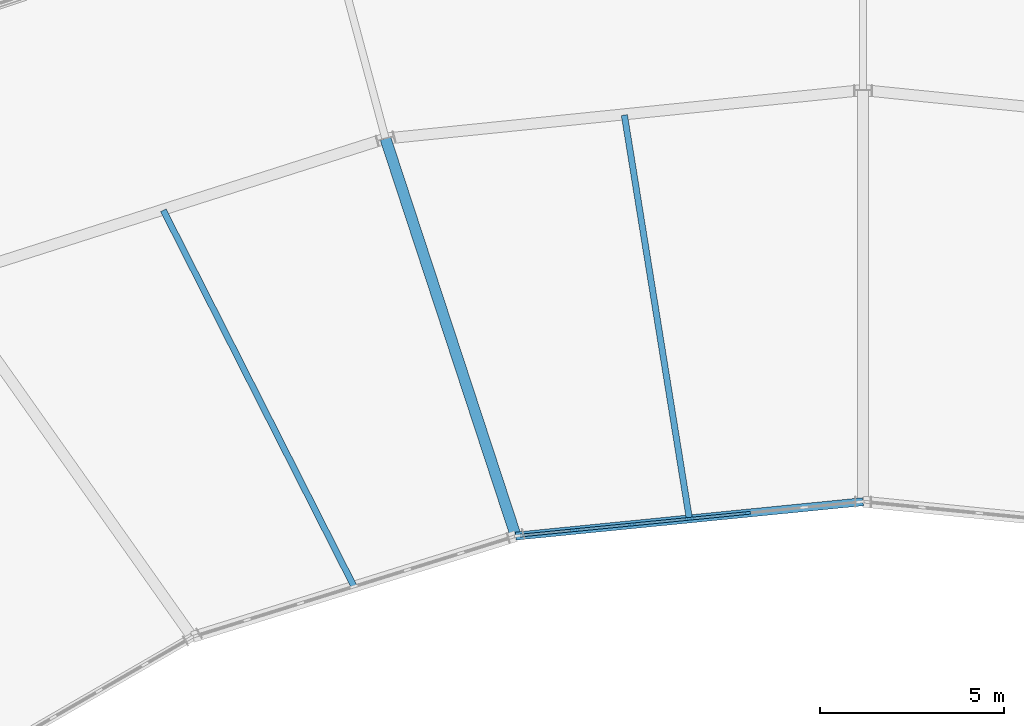
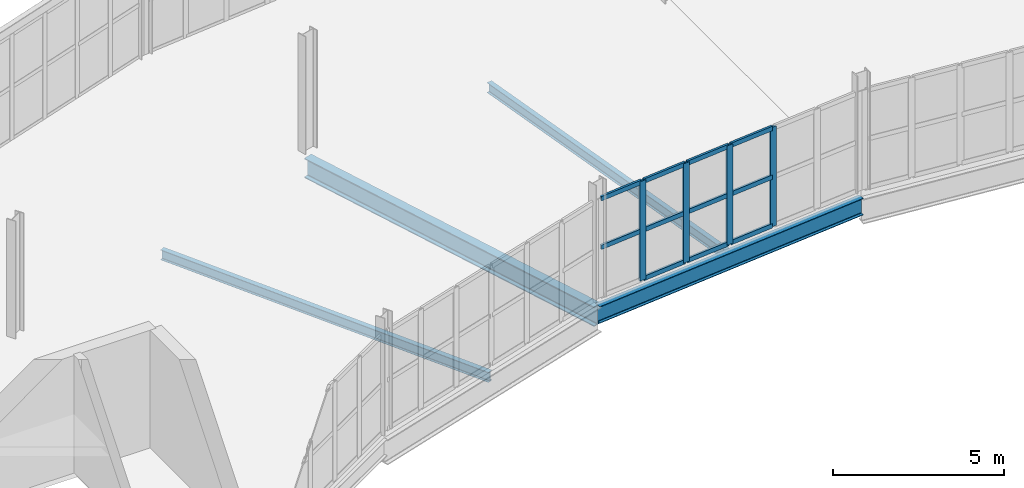
# One storey, part 67 of 161: 15 members, 4 beams, 1 element without a shape of its own.
"""IFC4 building model written with IfcOpenShell, lengths in metres."""

from ifc_helpers import new_model, si_unit, direction, frame, origin, origin_2d, place, context, subcontext, project, spatial, rectangle, i_section, extrude, material, material_profile, profile_set, type_object, element, aggregate, save


model = new_model("IFC4")

# Units and contexts
model_context = context("Model", 3, precision=1e-05, world=origin(), true_north=direction((0.0, 1.0)))
body_context = subcontext(model_context, "Body", "Model", "MODEL_VIEW")
ifc_project = project(units=[si_unit("LENGTHUNIT", "METRE"), si_unit("AREAUNIT", "SQUARE_METRE"), si_unit("VOLUMEUNIT", "CUBIC_METRE"), si_unit("PLANEANGLEUNIT", "RADIAN"), si_unit("MASSUNIT", "GRAM", prefix="KILO")], contexts=[model_context])

# Site, building, storey
site_placement = place(None, origin())
site = spatial("IfcSite", under=ifc_project, at=site_placement, CompositionType="ELEMENT")
building_placement = place(site_placement, origin())
building = spatial("IfcBuilding", under=site, at=building_placement, Name="Kildeholm Park Wholesale Market", CompositionType="ELEMENT")
storey_placement = place(building_placement, frame((0.0, 0.0, 5.39990234375)))
storey = spatial("IfcBuildingStorey", under=building, at=storey_placement, Name="L01", CompositionType="ELEMENT", Elevation=5.39990234375)

# Beams
ifc_material_1 = material(Name="Steel S355", Category="steel")
ifc_material_profile_1 = material_profile(ifc_material_1, i_section(OverallWidth=0.300048828125, OverallDepth=0.699951171875, WebThickness=0.01708984375, FlangeThickness=0.031982421875, FilletRadius=0.027099609375, at=origin_2d()), Name="HEB 700")
ifc_profile_set_1 = profile_set([ifc_material_profile_1], Name="Steel S355")
beam_type_1 = type_object("IfcBeamType", Name="Beam B-G01 HEB 700", PredefinedType="BEAM", material=ifc_profile_set_1)
beam_1_placement = place(storey_placement, frame((89.552978515625, 116.06298828125, -0.599853515625), z_axis=(-0.31146940438, 0.950256181319, 0.0), x_axis=(-0.950256181319, -0.31146940438, 0.0)))
element("IfcBeam", 1, at=beam_1_placement, inside=storey, type_object=beam_type_1, Name="Beam BM-V1-L01-R1-07 BM-0066", PredefinedType="BEAM", context=body_context, shape_type="SweptSolid", body=[
    extrude(i_section(OverallWidth=0.300048828125, OverallDepth=0.699951171875, WebThickness=0.01708984375, FlangeThickness=0.031982421875, FilletRadius=0.027099609375, at=origin_2d()), origin(), (0.0, 0.0, 1.0), 11.384521484375),
])
ifc_material_profile_2 = material_profile(ifc_material_1, i_section(OverallWidth=0.219970703125, OverallDepth=0.60009765625, WebThickness=0.011962890625, FlangeThickness=0.01904296875, FilletRadius=0.02392578125, at=origin_2d()), Name="IPE 600")
ifc_profile_set_2 = profile_set([ifc_material_profile_2], Name="Steel S355")
beam_type_2 = type_object("IfcBeamType", Name="Beam B-P04 IPE 600", PredefinedType="BEAM", material=ifc_profile_set_2)
beam_2_placement = place(storey_placement, frame((99.0, 117.0, -0.5498046875), z_axis=(-0.995117073258, -0.098701623651, 0.0), x_axis=(0.098701623651, -0.995117073258, 0.0)))
element("IfcBeam", 2, at=beam_2_placement, inside=storey, type_object=beam_type_2, Name="Beam BM-V1-L01-CI-06 BM-0059", PredefinedType="BEAM", context=body_context, shape_type="SweptSolid", body=[
    extrude(i_section(OverallWidth=0.219970703125, OverallDepth=0.60009765625, WebThickness=0.011962890625, FlangeThickness=0.01904296875, FilletRadius=0.02392578125, at=origin_2d()), origin(), (0.0, 0.0, 1.0), 9.493408203125),
])
ifc_material_profile_3 = material_profile(ifc_material_1, i_section(OverallWidth=0.169921875, OverallDepth=0.360107421875, WebThickness=0.008056640625, FlangeThickness=0.0126953125, FilletRadius=0.01806640625, at=origin_2d()), Name="IPE 360")
ifc_profile_set_3 = profile_set([ifc_material_profile_3], Name="Steel S355")
beam_type_3 = type_object("IfcBeamType", Name="Beam J-04 IPE 360", PredefinedType="JOIST", material=ifc_profile_set_3)
beam_3_placement = place(storey_placement, frame((94.273193359375, 116.55126953125, -0.429931640625), z_axis=(-0.158998239013, 0.987278866375, 0.0), x_axis=(-0.987278866375, -0.158998239013, 0.0)))
element("IfcBeam", 3, at=beam_3_placement, inside=storey, type_object=beam_type_3, Name="Beam JT-V1-L01-06 BM-0064", PredefinedType="JOIST", context=body_context, shape_type="SweptSolid", body=[
    extrude(i_section(OverallWidth=0.169921875, OverallDepth=0.360107421875, WebThickness=0.008056640625, FlangeThickness=0.0126953125, FilletRadius=0.01806640625, at=origin_2d()), origin(), (0.0, 0.0, 1.0), 11.11083984375),
])
beam_4_placement = place(storey_placement, frame((85.142578125, 114.707275390625, -0.429931640625), z_axis=(-0.452004571782, 0.892015620428, 0.0), x_axis=(-0.892015620428, -0.452004571782, 0.0)))
element("IfcBeam", 4, at=beam_4_placement, inside=storey, type_object=beam_type_3, Name="Beam JT-V1-L01-07 BM-0074", PredefinedType="JOIST", context=body_context, shape_type="SweptSolid", body=[
    extrude(i_section(OverallWidth=0.169921875, OverallDepth=0.360107421875, WebThickness=0.008056640625, FlangeThickness=0.0126953125, FilletRadius=0.01806640625, at=origin_2d()), origin(), (0.0, 0.0, 1.0), 11.46044921875),
])

# Curtain wall, members
ifc_material_2 = material(Name="Anodised aluminium and low-E double-glazed glass", Category="aluminium")
curtain_wall_type = type_object("IfcCurtainWallType", Name="Market hall glazed arcade stick curtain wall CW-01", PredefinedType="NOTDEFINED", material=ifc_material_2)
curtain_wall_placement = place(storey_placement, origin())
curtain_wall = element("IfcCurtainWall", 5, at=curtain_wall_placement, inside=storey, type_object=curtain_wall_type, Name="Curtain wall CW-V1-IN1-06 CW-0033", PredefinedType="NOTDEFINED")
ifc_material_3 = material(Name="Anodised aluminium", Category="aluminium")
ifc_material_profile_4 = material_profile(ifc_material_3, rectangle(XDim=0.074951171875, YDim=0.219970703125, at=origin_2d()), Name="CWM 75x220")
ifc_profile_set_4 = profile_set([ifc_material_profile_4], Name="Anodised aluminium")
member_type_1 = type_object("IfcMemberType", Name="Curtain-wall mullion CWM-2 CWM 75x220", PredefinedType="MULLION", material=ifc_profile_set_4)
member_1_placement = place(storey_placement, frame((95.83740234375, 116.6904296875, 0.0), z_axis=(0.0, 0.0, 1.0), x_axis=(0.098683331174, -0.995118887444, 0.0)))
member_1 = element("IfcMember", 6, at=member_1_placement, type_object=member_type_1, Name="CW-01 mullion 3 MEM-1300", PredefinedType="MULLION", context=body_context, shape_type="SweptSolid", body=[
    extrude(rectangle(XDim=0.074951171875, YDim=0.219970703125, at=origin_2d()), origin(), (0.0, 0.0, 1.0), 3.550048828125),
])
member_2_placement = place(storey_placement, frame((94.27587890625, 116.535400390625, 0.0), z_axis=(0.0, 0.0, 1.0), x_axis=(0.098683331174, -0.995118887444, 0.0)))
member_2 = element("IfcMember", 7, at=member_2_placement, type_object=member_type_1, Name="CW-01 mullion 4 MEM-1301", PredefinedType="MULLION", context=body_context, shape_type="SweptSolid", body=[
    extrude(rectangle(XDim=0.074951171875, YDim=0.219970703125, at=origin_2d()), origin(), (0.0, 0.0, 1.0), 3.550048828125),
])
member_3_placement = place(storey_placement, frame((92.714599609375, 116.380615234375, 0.0), z_axis=(0.0, 0.0, 1.0), x_axis=(0.098683331174, -0.995118887444, 0.0)))
member_3 = element("IfcMember", 8, at=member_3_placement, type_object=member_type_1, Name="CW-01 mullion 5 MEM-1302", PredefinedType="MULLION", context=body_context, shape_type="SweptSolid", body=[
    extrude(rectangle(XDim=0.074951171875, YDim=0.219970703125, at=origin_2d()), origin(), (0.0, 0.0, 1.0), 3.550048828125),
])
member_4_placement = place(storey_placement, frame((91.1533203125, 116.225830078125, 0.0), z_axis=(0.0, 0.0, 1.0), x_axis=(0.098683331174, -0.995118887444, 0.0)))
member_4 = element("IfcMember", 9, at=member_4_placement, type_object=member_type_1, Name="CW-01 mullion 6 MEM-1303", PredefinedType="MULLION", context=body_context, shape_type="SweptSolid", body=[
    extrude(rectangle(XDim=0.074951171875, YDim=0.219970703125, at=origin_2d()), origin(), (0.0, 0.0, 1.0), 3.550048828125),
])
ifc_material_profile_5 = material_profile(ifc_material_3, rectangle(XDim=0.074951171875, YDim=0.159912109375, at=origin_2d()), Name="CWT 75x160")
ifc_profile_set_5 = profile_set([ifc_material_profile_5], Name="Anodised aluminium")
member_type_2 = type_object("IfcMemberType", Name="Curtain-wall transom CWT-2 CWT 75x160", PredefinedType="USERDEFINED", material=ifc_profile_set_5)
member_5_placement = place(storey_placement, frame((95.800048828125, 116.6865234375, 0.03759765625), z_axis=(-0.995133788729, -0.098532951495, 0.0), x_axis=(0.098532951495, -0.995133788729, 0.0)))
member_5 = element("IfcMember", 10, at=member_5_placement, type_object=member_type_2, Name="CW-01 transom 3.1 MEM-1311", ObjectType="TRANSOM", PredefinedType="USERDEFINED", context=body_context, shape_type="SweptSolid", body=[
    extrude(rectangle(XDim=0.074951171875, YDim=0.159912109375, at=origin_2d()), origin(), (0.0, 0.0, 1.0), 1.494140625),
])
member_6_placement = place(storey_placement, frame((95.800048828125, 116.6865234375, 1.775146484375), z_axis=(-0.995133788729, -0.098532951495, 0.0), x_axis=(0.098532951495, -0.995133788729, 0.0)))
member_6 = element("IfcMember", 11, at=member_6_placement, type_object=member_type_2, Name="CW-01 transom 3.2 MEM-1312", ObjectType="TRANSOM", PredefinedType="USERDEFINED", context=body_context, shape_type="SweptSolid", body=[
    extrude(rectangle(XDim=0.074951171875, YDim=0.159912109375, at=origin_2d()), origin(), (0.0, 0.0, 1.0), 1.494140625),
])
member_7_placement = place(storey_placement, frame((95.800048828125, 116.6865234375, 3.5126953125), z_axis=(-0.995133788729, -0.098532951495, 0.0), x_axis=(0.098532951495, -0.995133788729, 0.0)))
member_7 = element("IfcMember", 12, at=member_7_placement, type_object=member_type_2, Name="CW-01 transom 3.3 MEM-1313", ObjectType="TRANSOM", PredefinedType="USERDEFINED", context=body_context, shape_type="SweptSolid", body=[
    extrude(rectangle(XDim=0.074951171875, YDim=0.159912109375, at=origin_2d()), origin(), (0.0, 0.0, 1.0), 1.494140625),
])
member_8_placement = place(storey_placement, frame((94.23876953125, 116.53173828125, 0.03759765625), z_axis=(-0.995117753447, -0.098694765695, 0.0), x_axis=(0.098694765695, -0.995117753447, 0.0)))
member_8 = element("IfcMember", 13, at=member_8_placement, type_object=member_type_2, Name="CW-01 transom 4.1 MEM-1314", ObjectType="TRANSOM", PredefinedType="USERDEFINED", context=body_context, shape_type="SweptSolid", body=[
    extrude(rectangle(XDim=0.074951171875, YDim=0.159912109375, at=origin_2d()), origin(), (0.0, 0.0, 1.0), 1.494140625),
])
member_9_placement = place(storey_placement, frame((94.23876953125, 116.53173828125, 1.775146484375), z_axis=(-0.995117753447, -0.098694765695, 0.0), x_axis=(0.098694765695, -0.995117753447, 0.0)))
member_9 = element("IfcMember", 14, at=member_9_placement, type_object=member_type_2, Name="CW-01 transom 4.2 MEM-1315", ObjectType="TRANSOM", PredefinedType="USERDEFINED", context=body_context, shape_type="SweptSolid", body=[
    extrude(rectangle(XDim=0.074951171875, YDim=0.159912109375, at=origin_2d()), origin(), (0.0, 0.0, 1.0), 1.494140625),
])
member_10_placement = place(storey_placement, frame((94.23876953125, 116.53173828125, 3.5126953125), z_axis=(-0.995117753447, -0.098694765695, 0.0), x_axis=(0.098694765695, -0.995117753447, 0.0)))
member_10 = element("IfcMember", 15, at=member_10_placement, type_object=member_type_2, Name="CW-01 transom 4.3 MEM-1316", ObjectType="TRANSOM", PredefinedType="USERDEFINED", context=body_context, shape_type="SweptSolid", body=[
    extrude(rectangle(XDim=0.074951171875, YDim=0.159912109375, at=origin_2d()), origin(), (0.0, 0.0, 1.0), 1.494140625),
])
member_11_placement = place(storey_placement, frame((92.67724609375, 116.376953125, 0.03759765625), z_axis=(-0.995116161416, -0.098710816472, 0.0), x_axis=(0.098710816472, -0.995116161416, 0.0)))
member_11 = element("IfcMember", 16, at=member_11_placement, type_object=member_type_2, Name="CW-01 transom 5.1 MEM-1317", ObjectType="TRANSOM", PredefinedType="USERDEFINED", context=body_context, shape_type="SweptSolid", body=[
    extrude(rectangle(XDim=0.074951171875, YDim=0.159912109375, at=origin_2d()), origin(), (0.0, 0.0, 1.0), 1.493896484375),
])
member_12_placement = place(storey_placement, frame((92.67724609375, 116.376953125, 1.775146484375), z_axis=(-0.995116161416, -0.098710816472, 0.0), x_axis=(0.098710816472, -0.995116161416, 0.0)))
member_12 = element("IfcMember", 17, at=member_12_placement, type_object=member_type_2, Name="CW-01 transom 5.2 MEM-1318", ObjectType="TRANSOM", PredefinedType="USERDEFINED", context=body_context, shape_type="SweptSolid", body=[
    extrude(rectangle(XDim=0.074951171875, YDim=0.159912109375, at=origin_2d()), origin(), (0.0, 0.0, 1.0), 1.493896484375),
])
member_13_placement = place(storey_placement, frame((92.67724609375, 116.376953125, 3.5126953125), z_axis=(-0.995116161416, -0.098710816472, 0.0), x_axis=(0.098710816472, -0.995116161416, 0.0)))
member_13 = element("IfcMember", 18, at=member_13_placement, type_object=member_type_2, Name="CW-01 transom 5.3 MEM-1319", ObjectType="TRANSOM", PredefinedType="USERDEFINED", context=body_context, shape_type="SweptSolid", body=[
    extrude(rectangle(XDim=0.074951171875, YDim=0.159912109375, at=origin_2d()), origin(), (0.0, 0.0, 1.0), 1.493896484375),
])
member_14_placement = place(storey_placement, frame((91.115966796875, 116.22216796875, 1.775146484375), z_axis=(-0.995113248343, -0.098740179123, 0.0), x_axis=(0.098740179123, -0.995113248343, 0.0)))
member_14 = element("IfcMember", 19, at=member_14_placement, type_object=member_type_2, Name="CW-01 transom 6.2 MEM-1321", ObjectType="TRANSOM", PredefinedType="USERDEFINED", context=body_context, shape_type="SweptSolid", body=[
    extrude(rectangle(XDim=0.074951171875, YDim=0.159912109375, at=origin_2d()), origin(), (0.0, 0.0, 1.0), 1.456298828125),
])
member_15_placement = place(storey_placement, frame((91.115966796875, 116.22216796875, 3.5126953125), z_axis=(-0.995113248343, -0.098740179123, 0.0), x_axis=(0.098740179123, -0.995113248343, 0.0)))
member_15 = element("IfcMember", 20, at=member_15_placement, type_object=member_type_2, Name="CW-01 transom 6.3 MEM-1322", ObjectType="TRANSOM", PredefinedType="USERDEFINED", context=body_context, shape_type="SweptSolid", body=[
    extrude(rectangle(XDim=0.074951171875, YDim=0.159912109375, at=origin_2d()), origin(), (0.0, 0.0, 1.0), 1.456298828125),
])
aggregate(curtain_wall, [member_1, member_2, member_3, member_4, member_5, member_6, member_7, member_8, member_9, member_10, member_11, member_12, member_13, member_14, member_15])

save(model, "model.ifc")
